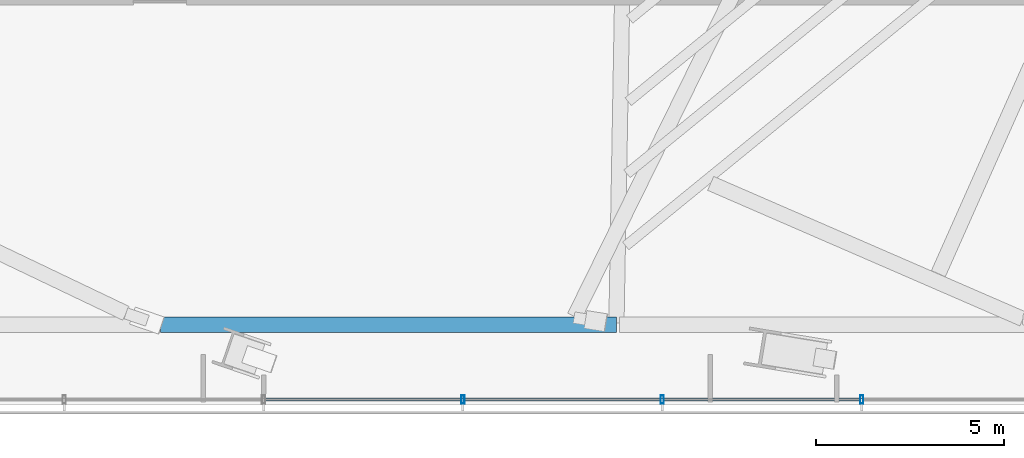
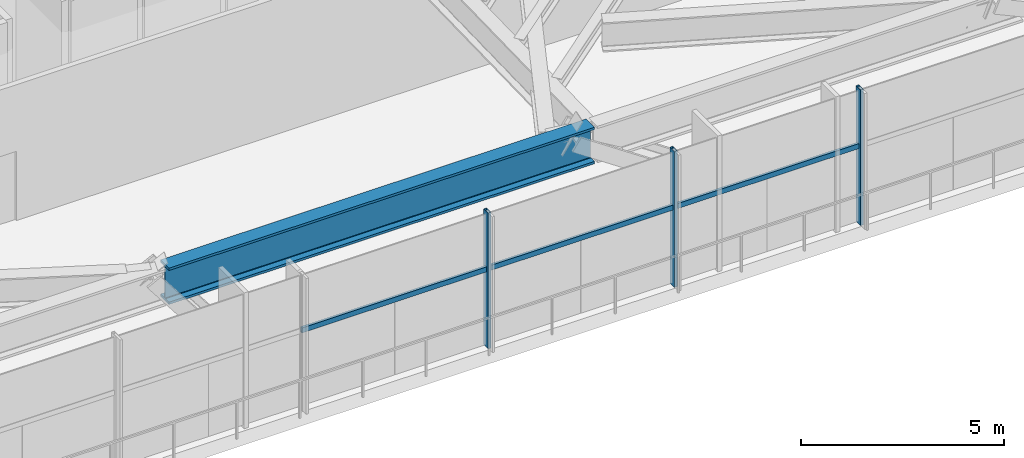
# One storey, part 13 of 29: 6 members, 1 beam, 1 element without a shape of its own.
"""IFC4 building model written with IfcOpenShell, lengths in metres."""

from ifc_helpers import new_model, si_unit, direction, frame, origin, origin_2d, place, context, subcontext, project, spatial, hollow_rectangle, i_section, extrude, source, transform, mapped, material, material_profile, profile_set, type_object, type_shapes, element, aggregate, save


model = new_model("IFC4")

# Units and contexts
model_context = context("Model", 3, precision=1e-05, world=origin(), true_north=direction((0.0, 1.0)))
body_context = subcontext(model_context, "Body", "Model", "MODEL_VIEW")
ifc_project = project(units=[si_unit("LENGTHUNIT", "METRE"), si_unit("AREAUNIT", "SQUARE_METRE"), si_unit("VOLUMEUNIT", "CUBIC_METRE"), si_unit("PLANEANGLEUNIT", "RADIAN"), si_unit("MASSUNIT", "GRAM", prefix="KILO")], contexts=[model_context])

# Site, building, storey
site_placement = place(None, origin())
site = spatial("IfcSite", under=ifc_project, at=site_placement, CompositionType="ELEMENT")
building_placement = place(site_placement, origin())
building = spatial("IfcBuilding", under=site, at=building_placement, Name="Astriad Promenade Condominiums", CompositionType="ELEMENT")
storey_placement = place(building_placement, frame((0.0, 0.0, 18.5)))
storey = spatial("IfcBuildingStorey", under=building, at=storey_placement, Name="L04", CompositionType="ELEMENT", Elevation=18.5)

# Beam
ifc_material_1 = material(Name="Steel ASTM A992 Grade 50", Category="steel")
ifc_material_profile_1 = material_profile(ifc_material_1, i_section(OverallWidth=0.4169921875, OverallDepth=1.093505859375, WebThickness=0.0390625, FlangeThickness=0.070068359375, FilletRadius=0.025390625, at=origin_2d()), Name="W40X503")
ifc_profile_set_1 = profile_set([ifc_material_profile_1], Name="Steel ASTM A992 Grade 50")
beam_type = type_object("IfcBeamType", Name="STEEL TRANSFER GIRDER W40X503", PredefinedType="BEAM", material=ifc_profile_set_1)
shared_shape_1 = source(origin(), body_context, "Body", "SweptSolid", [
    extrude(i_section(OverallWidth=0.4169921875, OverallDepth=1.093505859375, WebThickness=0.0390625, FlangeThickness=0.070068359375, FilletRadius=0.025390625, at=origin_2d()), origin(), (0.0, 0.0, 1.0), 12.090576171875),
])
type_shapes(beam_type, [shared_shape_1])
beam_placement = place(storey_placement, frame((33.268798828125, 3.732666015625, 3.533203125), z_axis=(1.0, 0.0, 0.0), x_axis=(0.0, 1.0, 0.0)))
element("IfcBeam", 1, at=beam_placement, inside=storey, type_object=beam_type, Name="Perimeter Spandrel Beam SP-S3-L04", PredefinedType="BEAM", context=body_context, shape_type="MappedRepresentation", body=[
    mapped(shared_shape_1, transform((0.0, 0.0, 0.0), scale=1.0)),
])

# Curtain wall, members
ifc_material_2 = material(Name="Anodised aluminium Black Dark Glass Unitised", Category="aluminium")
curtain_wall_type = type_object("IfcCurtainWallType", Name="CW-POD-DARK", PredefinedType="USERDEFINED", material=ifc_material_2)
curtain_wall_placement = place(storey_placement, origin())
curtain_wall = element("IfcCurtainWall", 2, at=curtain_wall_placement, inside=storey, type_object=curtain_wall_type, Name="CW-L04-S", ObjectType="UNITISED_CURTAIN_WALL", PredefinedType="USERDEFINED")
ifc_material_3 = material(Name="Anodised aluminium 6063-T6 Black", Category="aluminium")
ifc_material_profile_2 = material_profile(ifc_material_3, hollow_rectangle(XDim=0.0849609375, YDim=0.219970703125, WallThickness=0.0048828125, at=origin_2d()), Name="ALU-MUL-85X220")
ifc_profile_set_2 = profile_set([ifc_material_profile_2], Name="Anodised aluminium 6063-T6 Black")
member_type_1 = type_object("IfcMemberType", Name="MUL-ALU-MUL-85X220", PredefinedType="MULLION", material=ifc_profile_set_2)
shared_shape_2 = source(origin(), body_context, "Body", "SweptSolid", [
    extrude(hollow_rectangle(XDim=0.0849609375, YDim=0.219970703125, WallThickness=0.0048828125, at=origin_2d()), origin(), (0.0, 0.0, 1.0), 4.080078125),
])
type_shapes(member_type_1, [shared_shape_2])
member_1_placement = place(storey_placement, frame((51.8701171875, 1.75, 0.0), z_axis=(0.0, 0.0, 1.0), x_axis=(1.0, 0.0, 0.0)))
member_1 = element("IfcMember", 3, at=member_1_placement, type_object=member_type_1, Name="CW-L04-S-MUL-02", PredefinedType="MULLION", context=body_context, shape_type="MappedRepresentation", body=[
    mapped(shared_shape_2, transform((0.0, 0.0, 0.0), scale=1.0)),
])
member_2_placement = place(storey_placement, frame((46.580078125, 1.75, 0.0), z_axis=(0.0, 0.0, 1.0), x_axis=(1.0, 0.0, 0.0)))
member_2 = element("IfcMember", 4, at=member_2_placement, type_object=member_type_1, Name="CW-L04-S-MUL-03", PredefinedType="MULLION", context=body_context, shape_type="MappedRepresentation", body=[
    mapped(shared_shape_2, transform((0.0, 0.0, 0.0), scale=1.0)),
])
member_3_placement = place(storey_placement, frame((41.2900390625, 1.75, 0.0), z_axis=(0.0, 0.0, 1.0), x_axis=(1.0, 0.0, 0.0)))
member_3 = element("IfcMember", 5, at=member_3_placement, type_object=member_type_1, Name="CW-L04-S-MUL-04", PredefinedType="MULLION", context=body_context, shape_type="MappedRepresentation", body=[
    mapped(shared_shape_2, transform((0.0, 0.0, 0.0), scale=1.0)),
])
ifc_material_profile_3 = material_profile(ifc_material_3, hollow_rectangle(XDim=0.074951171875, YDim=0.14990234375, WallThickness=0.004150390625, at=origin_2d()), Name="ALU-TRN-75X150")
ifc_profile_set_3 = profile_set([ifc_material_profile_3], Name="Anodised aluminium 6063-T6 Black")
member_type_2 = type_object("IfcMemberType", Name="TRN-ALU-TRN-75X150", PredefinedType="USERDEFINED", material=ifc_profile_set_3)
shared_shape_3 = source(origin(), body_context, "Body", "SweptSolid", [
    extrude(hollow_rectangle(XDim=0.074951171875, YDim=0.14990234375, WallThickness=0.004150390625, at=origin_2d()), origin(), (0.0, 0.0, 1.0), 5.2900390625),
])
type_shapes(member_type_2, [shared_shape_3])
member_4_placement = place(storey_placement, frame((51.8701171875, 1.75, 2.35009765625), z_axis=(-1.0, 0.0, 0.0), x_axis=(0.0, -1.0, 0.0)))
member_4 = element("IfcMember", 6, at=member_4_placement, type_object=member_type_2, Name="CW-L04-S-TRN-02-0", ObjectType="TRANSOM", PredefinedType="USERDEFINED", context=body_context, shape_type="MappedRepresentation", body=[
    mapped(shared_shape_3, transform((0.0, 0.0, 0.0), scale=1.0)),
])
member_5_placement = place(storey_placement, frame((46.580078125, 1.75, 2.35009765625), z_axis=(-1.0, 0.0, 0.0), x_axis=(0.0, -1.0, 0.0)))
member_5 = element("IfcMember", 7, at=member_5_placement, type_object=member_type_2, Name="CW-L04-S-TRN-03-0", ObjectType="TRANSOM", PredefinedType="USERDEFINED", context=body_context, shape_type="MappedRepresentation", body=[
    mapped(shared_shape_3, transform((0.0, 0.0, 0.0), scale=1.0)),
])
member_6_placement = place(storey_placement, frame((41.2900390625, 1.75, 2.35009765625), z_axis=(-1.0, 0.0, 0.0), x_axis=(0.0, -1.0, 0.0)))
member_6 = element("IfcMember", 8, at=member_6_placement, type_object=member_type_2, Name="CW-L04-S-TRN-04-0", ObjectType="TRANSOM", PredefinedType="USERDEFINED", context=body_context, shape_type="MappedRepresentation", body=[
    mapped(shared_shape_3, transform((0.0, 0.0, 0.0), scale=1.0)),
])
aggregate(curtain_wall, [member_1, member_2, member_3, member_4, member_5, member_6])

save(model, "model.ifc")
